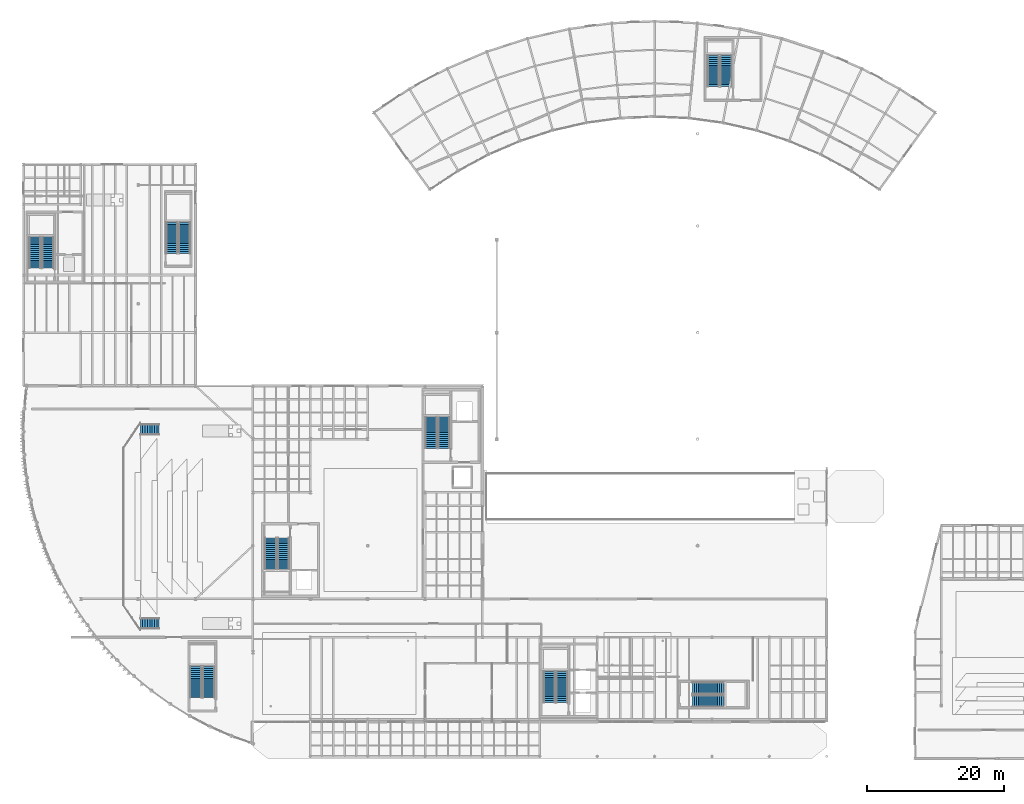
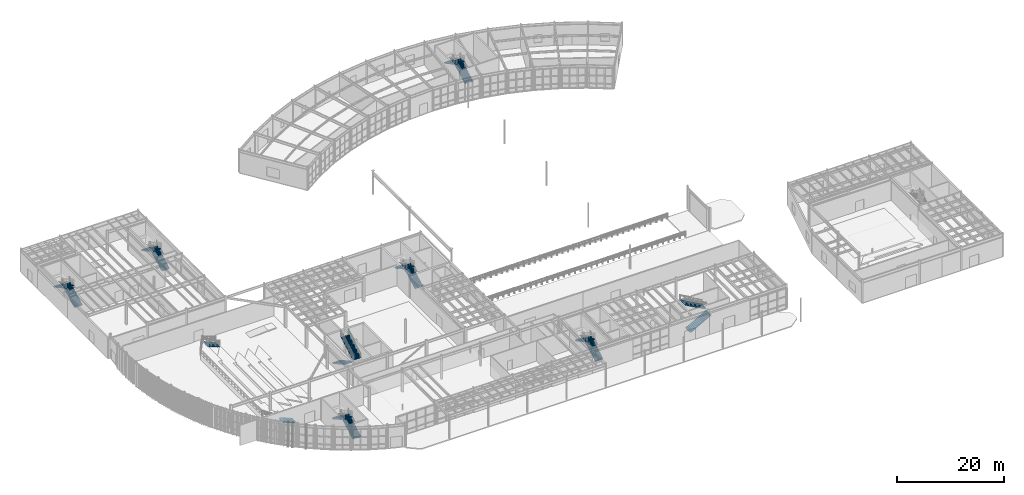
# One storey, part 71 of 87: 18 stair flights, 10 elements without a shape of their own.
"""IFC4 building model written with IfcOpenShell, lengths in metres."""

from ifc_helpers import new_model, si_unit, direction, frame, origin, place, context, subcontext, project, spatial, polyline, outline, extrude, material, type_object, element, aggregate, save


model = new_model("IFC4")

# Units and contexts
model_context = context("Model", 3, precision=1e-05, world=origin(), true_north=direction((0.0, 1.0)))
body_context = subcontext(model_context, "Body", "Model", "MODEL_VIEW")
ifc_project = project(units=[si_unit("LENGTHUNIT", "METRE"), si_unit("AREAUNIT", "SQUARE_METRE"), si_unit("VOLUMEUNIT", "CUBIC_METRE"), si_unit("PLANEANGLEUNIT", "RADIAN"), si_unit("MASSUNIT", "GRAM", prefix="KILO")], contexts=[model_context])

# Site, building, storey
site_placement = place(None, origin())
site = spatial("IfcSite", under=ifc_project, at=site_placement, CompositionType="ELEMENT")
building_placement = place(site_placement, origin())
building = spatial("IfcBuilding", under=site, at=building_placement, Name="Selat Folded Stagehouse", CompositionType="ELEMENT")
storey_placement = place(building_placement, origin())
storey = spatial("IfcBuildingStorey", under=building, at=storey_placement, Name="L00", CompositionType="ELEMENT", Elevation=0.0)

# Stair, stair flight
ifc_material = material(Name="Concrete C40/50", Category="concrete")
stair_type_1 = type_object("IfcStairType", Name="STR-AISLE-1540-9R", PredefinedType="STRAIGHT_RUN_STAIR", material=ifc_material)
stair_1_placement = place(storey_placement, origin())
stair_1 = element("IfcStair", 1, at=stair_1_placement, inside=storey, type_object=stair_type_1, Name="L00 auditorium stepped aisle stair STA-MT-L00-S", PredefinedType="STRAIGHT_RUN_STAIR")
stair_flight_type_1 = type_object("IfcStairFlightType", Name="STF-AISLE-1540-9R", PredefinedType="STRAIGHT", material=ifc_material)
stair_flight_1_placement = place(storey_placement, frame((19.8798828125, 19.800048828125, 0.0), z_axis=(0.0, 0.0, 1.0), x_axis=(-1.0, 0.0, 0.0)))
stair_flight_1 = element("IfcStairFlight", 2, at=stair_flight_1_placement, type_object=stair_flight_type_1, Name="STA-9R flight 1", NumberOfRisers=9, NumberOfTreads=8, PredefinedType="STRAIGHT", RiserHeight=0.135, TreadLength=0.345, context=body_context, shape_type="SweptSolid", body=[
    extrude(outline(polyline([(0.0, 0.0), (0.0, 0.135009765625), (0.344970703125, 0.135009765625), (0.344970703125, 0.27001953125), (0.68994140625, 0.27001953125), (0.68994140625, 0.405029296875), (1.034912109375, 0.405029296875), (1.034912109375, 0.5400390625), (1.3798828125, 0.5400390625), (1.3798828125, 0.675048828125), (1.72509765625, 0.675048828125), (1.72509765625, 0.81005859375), (2.070068359375, 0.81005859375), (2.070068359375, 0.945068359375), (2.4150390625, 0.945068359375), (2.4150390625, 1.080078125), (2.760009765625, 1.080078125), (2.760009765625, 1.215087890625), (2.760009765625, 0.9189453125), (0.411376953125, 0.0), (0.0, 0.0)])), frame((0.0, 0.77001953125, 0.0), z_axis=(0.0, -1.0, 0.0), x_axis=(1.0, 0.0, 0.0)), (0.0, 0.0, 1.0), 1.5400390625),
])
aggregate(stair_1, [stair_flight_1])

stair_2_placement = place(storey_placement, origin())
stair_2 = element("IfcStair", 3, at=stair_2_placement, inside=storey, type_object=stair_type_1, Name="L00 auditorium stepped aisle stair STA-MT-L00-N", PredefinedType="STRAIGHT_RUN_STAIR")
stair_flight_2_placement = place(storey_placement, frame((19.8798828125, 48.199951171875, 0.0), z_axis=(0.0, 0.0, 1.0), x_axis=(-1.0, 0.0, 0.0)))
stair_flight_2 = element("IfcStairFlight", 4, at=stair_flight_2_placement, type_object=stair_flight_type_1, Name="STA-9R flight 1", NumberOfRisers=9, NumberOfTreads=8, PredefinedType="STRAIGHT", RiserHeight=0.135, TreadLength=0.345, context=body_context, shape_type="SweptSolid", body=[
    extrude(outline(polyline([(0.0, 0.0), (0.0, 0.135009765625), (0.344970703125, 0.135009765625), (0.344970703125, 0.27001953125), (0.68994140625, 0.27001953125), (0.68994140625, 0.405029296875), (1.034912109375, 0.405029296875), (1.034912109375, 0.5400390625), (1.3798828125, 0.5400390625), (1.3798828125, 0.675048828125), (1.72509765625, 0.675048828125), (1.72509765625, 0.81005859375), (2.070068359375, 0.81005859375), (2.070068359375, 0.945068359375), (2.4150390625, 0.945068359375), (2.4150390625, 1.080078125), (2.760009765625, 1.080078125), (2.760009765625, 1.215087890625), (2.760009765625, 0.9189453125), (0.411376953125, 0.0), (0.0, 0.0)])), frame((0.0, 0.77001953125, 0.0), z_axis=(0.0, -1.0, 0.0), x_axis=(1.0, 0.0, 0.0)), (0.0, 0.0, 1.0), 1.5400390625),
])
aggregate(stair_2, [stair_flight_2])

# Stair, stair flights
stair_type_2 = type_object("IfcStairType", Name="STR-DOG-1680-34R", PredefinedType="HALF_TURN_STAIR", material=ifc_material)
stair_3_placement = place(storey_placement, origin())
stair_3 = element("IfcStair", 5, at=stair_3_placement, inside=storey, type_object=stair_type_2, Name="L00 Core 3 Foyer South Core", PredefinedType="HALF_TURN_STAIR")
stair_flight_type_2 = type_object("IfcStairFlightType", Name="STF-STR-1680-17R", PredefinedType="STRAIGHT", material=ifc_material)
stair_flight_3_placement = place(storey_placement, frame((78.840087890625, 8.22998046875, 0.0), z_axis=(0.0, 0.0, 1.0), x_axis=(0.0, 1.0, 0.0)))
stair_flight_3 = element("IfcStairFlight", 6, at=stair_flight_3_placement, type_object=stair_flight_type_2, Name="ST-1680-34R flight 1", NumberOfRisers=17, NumberOfTreads=16, PredefinedType="STRAIGHT", RiserHeight=0.158823529, TreadLength=0.285, context=body_context, shape_type="SweptSolid", body=[
    extrude(outline(polyline([(0.0, 0.0), (0.0, 0.158935546875), (0.284912109375, 0.158935546875), (0.284912109375, 0.317626953125), (0.570068359375, 0.317626953125), (0.570068359375, 0.4765625), (0.85498046875, 0.4765625), (0.85498046875, 0.63525390625), (1.139892578125, 0.63525390625), (1.139892578125, 0.794189453125), (1.425048828125, 0.794189453125), (1.425048828125, 0.952880859375), (1.7099609375, 0.952880859375), (1.7099609375, 1.11181640625), (1.9951171875, 1.11181640625), (1.9951171875, 1.2705078125), (2.280029296875, 1.2705078125), (2.280029296875, 1.429443359375), (2.56494140625, 1.429443359375), (2.56494140625, 1.588134765625), (2.85009765625, 1.588134765625), (2.85009765625, 1.7470703125), (3.135009765625, 1.7470703125), (3.135009765625, 1.90576171875), (3.419921875, 1.90576171875), (3.419921875, 2.064697265625), (3.705078125, 2.064697265625), (3.705078125, 2.2236328125), (3.989990234375, 2.2236328125), (3.989990234375, 2.38232421875), (4.27490234375, 2.38232421875), (4.27490234375, 2.541259765625), (4.56005859375, 2.541259765625), (4.56005859375, 2.699951171875), (4.56005859375, 2.358154296875), (0.32861328125, 0.0), (0.0, 0.0)])), frame((0.0, 0.83984375, 0.0), z_axis=(0.0, -1.0, 0.0), x_axis=(1.0, 0.0, 0.0)), (0.0, 0.0, 1.0), 1.679931640625),
])
stair_flight_4_placement = place(storey_placement, frame((77.0, 12.7900390625, 2.699951171875), z_axis=(0.0, 0.0, 1.0), x_axis=(0.0, -1.0, 0.0)))
stair_flight_4 = element("IfcStairFlight", 7, at=stair_flight_4_placement, type_object=stair_flight_type_2, Name="ST-1680-34R flight 2", NumberOfRisers=17, NumberOfTreads=16, PredefinedType="STRAIGHT", RiserHeight=0.158823529, TreadLength=0.285, context=body_context, shape_type="SweptSolid", body=[
    extrude(outline(polyline([(0.0, 0.0), (0.0, 0.158935546875), (0.284912109375, 0.158935546875), (0.284912109375, 0.317626953125), (0.570068359375, 0.317626953125), (0.570068359375, 0.4765625), (0.85498046875, 0.4765625), (0.85498046875, 0.63525390625), (1.139892578125, 0.63525390625), (1.139892578125, 0.794189453125), (1.425048828125, 0.794189453125), (1.425048828125, 0.952880859375), (1.7099609375, 0.952880859375), (1.7099609375, 1.11181640625), (1.9951171875, 1.11181640625), (1.9951171875, 1.2705078125), (2.280029296875, 1.2705078125), (2.280029296875, 1.429443359375), (2.56494140625, 1.429443359375), (2.56494140625, 1.588134765625), (2.85009765625, 1.588134765625), (2.85009765625, 1.7470703125), (3.135009765625, 1.7470703125), (3.135009765625, 1.90576171875), (3.419921875, 1.90576171875), (3.419921875, 2.064697265625), (3.705078125, 2.064697265625), (3.705078125, 2.2236328125), (3.989990234375, 2.2236328125), (3.989990234375, 2.38232421875), (4.27490234375, 2.38232421875), (4.27490234375, 2.541259765625), (4.56005859375, 2.541259765625), (4.56005859375, 2.699951171875), (4.56005859375, 2.358154296875), (0.32861328125, 0.0), (0.0, 0.0)])), frame((0.0, 0.83984375, 0.0), z_axis=(0.0, -1.0, 0.0), x_axis=(1.0, 0.0, 0.0)), (0.0, 0.0, 1.0), 1.679931640625),
])
aggregate(stair_3, [stair_flight_3, stair_flight_4])

stair_4_placement = place(storey_placement, origin())
stair_4 = element("IfcStair", 8, at=stair_4_placement, inside=storey, type_object=stair_type_2, Name="L00 Backstage Technical Stair ST-07", PredefinedType="HALF_TURN_STAIR")
stair_flight_5_placement = place(storey_placement, frame((23.580078125, 73.97998046875, 0.0), z_axis=(0.0, 0.0, 1.0), x_axis=(0.0, 1.0, 0.0)))
stair_flight_5 = element("IfcStairFlight", 9, at=stair_flight_5_placement, type_object=stair_flight_type_2, Name="ST-1680-34R flight 1", NumberOfRisers=17, NumberOfTreads=16, PredefinedType="STRAIGHT", RiserHeight=0.158823529, TreadLength=0.285, context=body_context, shape_type="SweptSolid", body=[
    extrude(outline(polyline([(0.0, 0.0), (0.0, 0.158935546875), (0.284912109375, 0.158935546875), (0.284912109375, 0.317626953125), (0.570068359375, 0.317626953125), (0.570068359375, 0.4765625), (0.85498046875, 0.4765625), (0.85498046875, 0.63525390625), (1.139892578125, 0.63525390625), (1.139892578125, 0.794189453125), (1.425048828125, 0.794189453125), (1.425048828125, 0.952880859375), (1.7099609375, 0.952880859375), (1.7099609375, 1.11181640625), (1.9951171875, 1.11181640625), (1.9951171875, 1.2705078125), (2.280029296875, 1.2705078125), (2.280029296875, 1.429443359375), (2.56494140625, 1.429443359375), (2.56494140625, 1.588134765625), (2.85009765625, 1.588134765625), (2.85009765625, 1.7470703125), (3.135009765625, 1.7470703125), (3.135009765625, 1.90576171875), (3.419921875, 1.90576171875), (3.419921875, 2.064697265625), (3.705078125, 2.064697265625), (3.705078125, 2.2236328125), (3.989990234375, 2.2236328125), (3.989990234375, 2.38232421875), (4.27490234375, 2.38232421875), (4.27490234375, 2.541259765625), (4.56005859375, 2.541259765625), (4.56005859375, 2.699951171875), (4.56005859375, 2.358154296875), (0.32861328125, 0.0), (0.0, 0.0)])), frame((0.0, 0.83984375, 0.0), z_axis=(0.0, -1.0, 0.0), x_axis=(1.0, 0.0, 0.0)), (0.0, 0.0, 1.0), 1.679931640625),
])
stair_flight_6_placement = place(storey_placement, frame((21.739990234375, 78.5400390625, 2.699951171875), z_axis=(0.0, 0.0, 1.0), x_axis=(0.0, -1.0, 0.0)))
stair_flight_6 = element("IfcStairFlight", 10, at=stair_flight_6_placement, type_object=stair_flight_type_2, Name="ST-1680-34R flight 2", NumberOfRisers=17, NumberOfTreads=16, PredefinedType="STRAIGHT", RiserHeight=0.158823529, TreadLength=0.285, context=body_context, shape_type="SweptSolid", body=[
    extrude(outline(polyline([(0.0, 0.0), (0.0, 0.158935546875), (0.284912109375, 0.158935546875), (0.284912109375, 0.317626953125), (0.570068359375, 0.317626953125), (0.570068359375, 0.4765625), (0.85498046875, 0.4765625), (0.85498046875, 0.63525390625), (1.139892578125, 0.63525390625), (1.139892578125, 0.794189453125), (1.425048828125, 0.794189453125), (1.425048828125, 0.952880859375), (1.7099609375, 0.952880859375), (1.7099609375, 1.11181640625), (1.9951171875, 1.11181640625), (1.9951171875, 1.2705078125), (2.280029296875, 1.2705078125), (2.280029296875, 1.429443359375), (2.56494140625, 1.429443359375), (2.56494140625, 1.588134765625), (2.85009765625, 1.588134765625), (2.85009765625, 1.7470703125), (3.135009765625, 1.7470703125), (3.135009765625, 1.90576171875), (3.419921875, 1.90576171875), (3.419921875, 2.064697265625), (3.705078125, 2.064697265625), (3.705078125, 2.2236328125), (3.989990234375, 2.2236328125), (3.989990234375, 2.38232421875), (4.27490234375, 2.38232421875), (4.27490234375, 2.541259765625), (4.56005859375, 2.541259765625), (4.56005859375, 2.699951171875), (4.56005859375, 2.358154296875), (0.32861328125, 0.0), (0.0, 0.0)])), frame((0.0, 0.83984375, 0.0), z_axis=(0.0, -1.0, 0.0), x_axis=(1.0, 0.0, 0.0)), (0.0, 0.0, 1.0), 1.679931640625),
])
aggregate(stair_4, [stair_flight_5, stair_flight_6])

stair_type_3 = type_object("IfcStairType", Name="STR-DOG-1700-34R", PredefinedType="HALF_TURN_STAIR", material=ifc_material)
stair_5_placement = place(storey_placement, origin())
stair_5 = element("IfcStair", 11, at=stair_5_placement, inside=storey, type_object=stair_type_3, Name="L00 Core 1 South-West Fire Core", PredefinedType="HALF_TURN_STAIR")
stair_flight_type_3 = type_object("IfcStairFlightType", Name="STF-STR-1700-17R", PredefinedType="STRAIGHT", material=ifc_material)
stair_flight_7_placement = place(storey_placement, frame((36.2099609375, 32.340087890625, 0.0), z_axis=(0.0, 0.0, 1.0), x_axis=(0.0, -1.0, 0.0)))
stair_flight_7 = element("IfcStairFlight", 12, at=stair_flight_7_placement, type_object=stair_flight_type_3, Name="ST-1700-34R flight 1", NumberOfRisers=17, NumberOfTreads=16, PredefinedType="STRAIGHT", RiserHeight=0.158823529, TreadLength=0.285, context=body_context, shape_type="SweptSolid", body=[
    extrude(outline(polyline([(0.0, 0.0), (0.0, 0.158935546875), (0.284912109375, 0.158935546875), (0.284912109375, 0.317626953125), (0.570068359375, 0.317626953125), (0.570068359375, 0.4765625), (0.85498046875, 0.4765625), (0.85498046875, 0.63525390625), (1.139892578125, 0.63525390625), (1.139892578125, 0.794189453125), (1.425048828125, 0.794189453125), (1.425048828125, 0.952880859375), (1.7099609375, 0.952880859375), (1.7099609375, 1.11181640625), (1.9951171875, 1.11181640625), (1.9951171875, 1.2705078125), (2.280029296875, 1.2705078125), (2.280029296875, 1.429443359375), (2.56494140625, 1.429443359375), (2.56494140625, 1.588134765625), (2.85009765625, 1.588134765625), (2.85009765625, 1.7470703125), (3.135009765625, 1.7470703125), (3.135009765625, 1.90576171875), (3.419921875, 1.90576171875), (3.419921875, 2.064697265625), (3.705078125, 2.064697265625), (3.705078125, 2.2236328125), (3.989990234375, 2.2236328125), (3.989990234375, 2.38232421875), (4.27490234375, 2.38232421875), (4.27490234375, 2.541259765625), (4.56005859375, 2.541259765625), (4.56005859375, 2.699951171875), (4.56005859375, 2.358154296875), (0.32861328125, 0.0), (0.0, 0.0)])), frame((0.0, 0.85009765625, 0.0), z_axis=(0.0, -1.0, 0.0), x_axis=(1.0, 0.0, 0.0)), (0.0, 0.0, 1.0), 1.699951171875),
])
stair_flight_8_placement = place(storey_placement, frame((38.070068359375, 27.780029296875, 2.699951171875), z_axis=(0.0, 0.0, 1.0), x_axis=(0.0, 1.0, 0.0)))
stair_flight_8 = element("IfcStairFlight", 13, at=stair_flight_8_placement, type_object=stair_flight_type_3, Name="ST-1700-34R flight 2", NumberOfRisers=17, NumberOfTreads=16, PredefinedType="STRAIGHT", RiserHeight=0.158823529, TreadLength=0.285, context=body_context, shape_type="SweptSolid", body=[
    extrude(outline(polyline([(0.0, 0.0), (0.0, 0.158935546875), (0.284912109375, 0.158935546875), (0.284912109375, 0.317626953125), (0.570068359375, 0.317626953125), (0.570068359375, 0.4765625), (0.85498046875, 0.4765625), (0.85498046875, 0.63525390625), (1.139892578125, 0.63525390625), (1.139892578125, 0.794189453125), (1.425048828125, 0.794189453125), (1.425048828125, 0.952880859375), (1.7099609375, 0.952880859375), (1.7099609375, 1.11181640625), (1.9951171875, 1.11181640625), (1.9951171875, 1.2705078125), (2.280029296875, 1.2705078125), (2.280029296875, 1.429443359375), (2.56494140625, 1.429443359375), (2.56494140625, 1.588134765625), (2.85009765625, 1.588134765625), (2.85009765625, 1.7470703125), (3.135009765625, 1.7470703125), (3.135009765625, 1.90576171875), (3.419921875, 1.90576171875), (3.419921875, 2.064697265625), (3.705078125, 2.064697265625), (3.705078125, 2.2236328125), (3.989990234375, 2.2236328125), (3.989990234375, 2.38232421875), (4.27490234375, 2.38232421875), (4.27490234375, 2.541259765625), (4.56005859375, 2.541259765625), (4.56005859375, 2.699951171875), (4.56005859375, 2.358154296875), (0.32861328125, 0.0), (0.0, 0.0)])), frame((0.0, 0.85009765625, 0.0), z_axis=(0.0, -1.0, 0.0), x_axis=(1.0, 0.0, 0.0)), (0.0, 0.0, 1.0), 1.699951171875),
])
aggregate(stair_5, [stair_flight_7, stair_flight_8])

stair_6_placement = place(storey_placement, origin())
stair_6 = element("IfcStair", 14, at=stair_6_placement, inside=storey, type_object=stair_type_3, Name="L00 Core 2 North-East Stage Fire Core", PredefinedType="HALF_TURN_STAIR")
stair_flight_9_placement = place(storey_placement, frame((61.570068359375, 45.4599609375, 0.0), z_axis=(0.0, 0.0, 1.0), x_axis=(0.0, 1.0, 0.0)))
stair_flight_9 = element("IfcStairFlight", 15, at=stair_flight_9_placement, type_object=stair_flight_type_3, Name="ST-1700-34R flight 1", NumberOfRisers=17, NumberOfTreads=16, PredefinedType="STRAIGHT", RiserHeight=0.158823529, TreadLength=0.285, context=body_context, shape_type="SweptSolid", body=[
    extrude(outline(polyline([(0.0, 0.0), (0.0, 0.158935546875), (0.284912109375, 0.158935546875), (0.284912109375, 0.317626953125), (0.570068359375, 0.317626953125), (0.570068359375, 0.4765625), (0.85498046875, 0.4765625), (0.85498046875, 0.63525390625), (1.139892578125, 0.63525390625), (1.139892578125, 0.794189453125), (1.425048828125, 0.794189453125), (1.425048828125, 0.952880859375), (1.7099609375, 0.952880859375), (1.7099609375, 1.11181640625), (1.9951171875, 1.11181640625), (1.9951171875, 1.2705078125), (2.280029296875, 1.2705078125), (2.280029296875, 1.429443359375), (2.56494140625, 1.429443359375), (2.56494140625, 1.588134765625), (2.85009765625, 1.588134765625), (2.85009765625, 1.7470703125), (3.135009765625, 1.7470703125), (3.135009765625, 1.90576171875), (3.419921875, 1.90576171875), (3.419921875, 2.064697265625), (3.705078125, 2.064697265625), (3.705078125, 2.2236328125), (3.989990234375, 2.2236328125), (3.989990234375, 2.38232421875), (4.27490234375, 2.38232421875), (4.27490234375, 2.541259765625), (4.56005859375, 2.541259765625), (4.56005859375, 2.699951171875), (4.56005859375, 2.358154296875), (0.32861328125, 0.0), (0.0, 0.0)])), frame((0.0, 0.85009765625, 0.0), z_axis=(0.0, -1.0, 0.0), x_axis=(1.0, 0.0, 0.0)), (0.0, 0.0, 1.0), 1.699951171875),
])
stair_flight_10_placement = place(storey_placement, frame((59.7099609375, 50.02001953125, 2.699951171875), z_axis=(0.0, 0.0, 1.0), x_axis=(0.0, -1.0, 0.0)))
stair_flight_10 = element("IfcStairFlight", 16, at=stair_flight_10_placement, type_object=stair_flight_type_3, Name="ST-1700-34R flight 2", NumberOfRisers=17, NumberOfTreads=16, PredefinedType="STRAIGHT", RiserHeight=0.158823529, TreadLength=0.285, context=body_context, shape_type="SweptSolid", body=[
    extrude(outline(polyline([(0.0, 0.0), (0.0, 0.158935546875), (0.284912109375, 0.158935546875), (0.284912109375, 0.317626953125), (0.570068359375, 0.317626953125), (0.570068359375, 0.4765625), (0.85498046875, 0.4765625), (0.85498046875, 0.63525390625), (1.139892578125, 0.63525390625), (1.139892578125, 0.794189453125), (1.425048828125, 0.794189453125), (1.425048828125, 0.952880859375), (1.7099609375, 0.952880859375), (1.7099609375, 1.11181640625), (1.9951171875, 1.11181640625), (1.9951171875, 1.2705078125), (2.280029296875, 1.2705078125), (2.280029296875, 1.429443359375), (2.56494140625, 1.429443359375), (2.56494140625, 1.588134765625), (2.85009765625, 1.588134765625), (2.85009765625, 1.7470703125), (3.135009765625, 1.7470703125), (3.135009765625, 1.90576171875), (3.419921875, 1.90576171875), (3.419921875, 2.064697265625), (3.705078125, 2.064697265625), (3.705078125, 2.2236328125), (3.989990234375, 2.2236328125), (3.989990234375, 2.38232421875), (4.27490234375, 2.38232421875), (4.27490234375, 2.541259765625), (4.56005859375, 2.541259765625), (4.56005859375, 2.699951171875), (4.56005859375, 2.358154296875), (0.32861328125, 0.0), (0.0, 0.0)])), frame((0.0, 0.85009765625, 0.0), z_axis=(0.0, -1.0, 0.0), x_axis=(1.0, 0.0, 0.0)), (0.0, 0.0, 1.0), 1.699951171875),
])
aggregate(stair_6, [stair_flight_9, stair_flight_10])

stair_type_4 = type_object("IfcStairType", Name="STR-DOG-1720-34R", PredefinedType="HALF_TURN_STAIR", material=ifc_material)
stair_7_placement = place(storey_placement, origin())
stair_7 = element("IfcStair", 17, at=stair_7_placement, inside=storey, type_object=stair_type_4, Name="L00 Core 5 Black-Box West Core", PredefinedType="HALF_TURN_STAIR")
stair_flight_type_4 = type_object("IfcStairFlightType", Name="STF-STR-1720-17R", PredefinedType="STRAIGHT", material=ifc_material)
stair_flight_11_placement = place(storey_placement, frame((3.590087890625, 71.840087890625, 0.0), z_axis=(0.0, 0.0, 1.0), x_axis=(0.0, 1.0, 0.0)))
stair_flight_11 = element("IfcStairFlight", 18, at=stair_flight_11_placement, type_object=stair_flight_type_4, Name="ST-1720-34R flight 1", NumberOfRisers=17, NumberOfTreads=16, PredefinedType="STRAIGHT", RiserHeight=0.158823529, TreadLength=0.285, context=body_context, shape_type="SweptSolid", body=[
    extrude(outline(polyline([(0.0, 0.0), (0.0, 0.158935546875), (0.284912109375, 0.158935546875), (0.284912109375, 0.317626953125), (0.570068359375, 0.317626953125), (0.570068359375, 0.4765625), (0.85498046875, 0.4765625), (0.85498046875, 0.63525390625), (1.139892578125, 0.63525390625), (1.139892578125, 0.794189453125), (1.425048828125, 0.794189453125), (1.425048828125, 0.952880859375), (1.7099609375, 0.952880859375), (1.7099609375, 1.11181640625), (1.9951171875, 1.11181640625), (1.9951171875, 1.2705078125), (2.280029296875, 1.2705078125), (2.280029296875, 1.429443359375), (2.56494140625, 1.429443359375), (2.56494140625, 1.588134765625), (2.85009765625, 1.588134765625), (2.85009765625, 1.7470703125), (3.135009765625, 1.7470703125), (3.135009765625, 1.90576171875), (3.419921875, 1.90576171875), (3.419921875, 2.064697265625), (3.705078125, 2.064697265625), (3.705078125, 2.2236328125), (3.989990234375, 2.2236328125), (3.989990234375, 2.38232421875), (4.27490234375, 2.38232421875), (4.27490234375, 2.541259765625), (4.56005859375, 2.541259765625), (4.56005859375, 2.699951171875), (4.56005859375, 2.358154296875), (0.32861328125, 0.0), (0.0, 0.0)])), frame((0.0, 0.85986328125, 0.0), z_axis=(0.0, -1.0, 0.0), x_axis=(1.0, 0.0, 0.0)), (0.0, 0.0, 1.0), 1.719970703125),
])
stair_flight_12_placement = place(storey_placement, frame((1.7099609375, 76.39990234375, 2.699951171875), z_axis=(0.0, 0.0, 1.0), x_axis=(0.0, -1.0, 0.0)))
stair_flight_12 = element("IfcStairFlight", 19, at=stair_flight_12_placement, type_object=stair_flight_type_4, Name="ST-1720-34R flight 2", NumberOfRisers=17, NumberOfTreads=16, PredefinedType="STRAIGHT", RiserHeight=0.158823529, TreadLength=0.285, context=body_context, shape_type="SweptSolid", body=[
    extrude(outline(polyline([(0.0, 0.0), (0.0, 0.158935546875), (0.284912109375, 0.158935546875), (0.284912109375, 0.317626953125), (0.570068359375, 0.317626953125), (0.570068359375, 0.4765625), (0.85498046875, 0.4765625), (0.85498046875, 0.63525390625), (1.139892578125, 0.63525390625), (1.139892578125, 0.794189453125), (1.425048828125, 0.794189453125), (1.425048828125, 0.952880859375), (1.7099609375, 0.952880859375), (1.7099609375, 1.11181640625), (1.9951171875, 1.11181640625), (1.9951171875, 1.2705078125), (2.280029296875, 1.2705078125), (2.280029296875, 1.429443359375), (2.56494140625, 1.429443359375), (2.56494140625, 1.588134765625), (2.85009765625, 1.588134765625), (2.85009765625, 1.7470703125), (3.135009765625, 1.7470703125), (3.135009765625, 1.90576171875), (3.419921875, 1.90576171875), (3.419921875, 2.064697265625), (3.705078125, 2.064697265625), (3.705078125, 2.2236328125), (3.989990234375, 2.2236328125), (3.989990234375, 2.38232421875), (4.27490234375, 2.38232421875), (4.27490234375, 2.541259765625), (4.56005859375, 2.541259765625), (4.56005859375, 2.699951171875), (4.56005859375, 2.358154296875), (0.32861328125, 0.0), (0.0, 0.0)])), frame((0.0, 0.85986328125, 0.0), z_axis=(0.0, -1.0, 0.0), x_axis=(1.0, 0.0, 0.0)), (0.0, 0.0, 1.0), 1.719970703125),
])
aggregate(stair_7, [stair_flight_11, stair_flight_12])

stair_8_placement = place(storey_placement, origin())
stair_8 = element("IfcStair", 20, at=stair_8_placement, inside=storey, type_object=stair_type_4, Name="L00 Core 6 Rehearsal East Core", PredefinedType="HALF_TURN_STAIR")
stair_flight_13_placement = place(storey_placement, frame((102.889892578125, 98.39990234375, 0.0), z_axis=(0.0, 0.0, 1.0), x_axis=(0.0, 1.0, 0.0)))
stair_flight_13 = element("IfcStairFlight", 21, at=stair_flight_13_placement, type_object=stair_flight_type_4, Name="ST-1720-34R flight 1", NumberOfRisers=17, NumberOfTreads=16, PredefinedType="STRAIGHT", RiserHeight=0.158823529, TreadLength=0.285, context=body_context, shape_type="SweptSolid", body=[
    extrude(outline(polyline([(0.0, 0.0), (0.0, 0.158935546875), (0.284912109375, 0.158935546875), (0.284912109375, 0.317626953125), (0.570068359375, 0.317626953125), (0.570068359375, 0.4765625), (0.85498046875, 0.4765625), (0.85498046875, 0.63525390625), (1.139892578125, 0.63525390625), (1.139892578125, 0.794189453125), (1.425048828125, 0.794189453125), (1.425048828125, 0.952880859375), (1.7099609375, 0.952880859375), (1.7099609375, 1.11181640625), (1.9951171875, 1.11181640625), (1.9951171875, 1.2705078125), (2.280029296875, 1.2705078125), (2.280029296875, 1.429443359375), (2.56494140625, 1.429443359375), (2.56494140625, 1.588134765625), (2.85009765625, 1.588134765625), (2.85009765625, 1.7470703125), (3.135009765625, 1.7470703125), (3.135009765625, 1.90576171875), (3.419921875, 1.90576171875), (3.419921875, 2.064697265625), (3.705078125, 2.064697265625), (3.705078125, 2.2236328125), (3.989990234375, 2.2236328125), (3.989990234375, 2.38232421875), (4.27490234375, 2.38232421875), (4.27490234375, 2.541259765625), (4.56005859375, 2.541259765625), (4.56005859375, 2.699951171875), (4.56005859375, 2.358154296875), (0.32861328125, 0.0), (0.0, 0.0)])), frame((0.0, 0.85986328125, 0.0), z_axis=(0.0, -1.0, 0.0), x_axis=(1.0, 0.0, 0.0)), (0.0, 0.0, 1.0), 1.719970703125),
])
stair_flight_14_placement = place(storey_placement, frame((101.010009765625, 102.9599609375, 2.699951171875), z_axis=(0.0, 0.0, 1.0), x_axis=(0.0, -1.0, 0.0)))
stair_flight_14 = element("IfcStairFlight", 22, at=stair_flight_14_placement, type_object=stair_flight_type_4, Name="ST-1720-34R flight 2", NumberOfRisers=17, NumberOfTreads=16, PredefinedType="STRAIGHT", RiserHeight=0.158823529, TreadLength=0.285, context=body_context, shape_type="SweptSolid", body=[
    extrude(outline(polyline([(0.0, 0.0), (0.0, 0.158935546875), (0.284912109375, 0.158935546875), (0.284912109375, 0.317626953125), (0.570068359375, 0.317626953125), (0.570068359375, 0.4765625), (0.85498046875, 0.4765625), (0.85498046875, 0.63525390625), (1.139892578125, 0.63525390625), (1.139892578125, 0.794189453125), (1.425048828125, 0.794189453125), (1.425048828125, 0.952880859375), (1.7099609375, 0.952880859375), (1.7099609375, 1.11181640625), (1.9951171875, 1.11181640625), (1.9951171875, 1.2705078125), (2.280029296875, 1.2705078125), (2.280029296875, 1.429443359375), (2.56494140625, 1.429443359375), (2.56494140625, 1.588134765625), (2.85009765625, 1.588134765625), (2.85009765625, 1.7470703125), (3.135009765625, 1.7470703125), (3.135009765625, 1.90576171875), (3.419921875, 1.90576171875), (3.419921875, 2.064697265625), (3.705078125, 2.064697265625), (3.705078125, 2.2236328125), (3.989990234375, 2.2236328125), (3.989990234375, 2.38232421875), (4.27490234375, 2.38232421875), (4.27490234375, 2.541259765625), (4.56005859375, 2.541259765625), (4.56005859375, 2.699951171875), (4.56005859375, 2.358154296875), (0.32861328125, 0.0), (0.0, 0.0)])), frame((0.0, 0.85986328125, 0.0), z_axis=(0.0, -1.0, 0.0), x_axis=(1.0, 0.0, 0.0)), (0.0, 0.0, 1.0), 1.719970703125),
])
aggregate(stair_8, [stair_flight_13, stair_flight_14])

stair_type_5 = type_object("IfcStairType", Name="STR-DOG-1760-34R", PredefinedType="HALF_TURN_STAIR", material=ifc_material)
stair_9_placement = place(storey_placement, origin())
stair_9 = element("IfcStair", 23, at=stair_9_placement, inside=storey, type_object=stair_type_5, Name="L00 Grand Foyer Enclosed Stair ST-08", PredefinedType="HALF_TURN_STAIR")
stair_flight_type_5 = type_object("IfcStairFlightType", Name="STF-STR-1760-17R", PredefinedType="STRAIGHT", material=ifc_material)
stair_flight_15_placement = place(storey_placement, frame((97.93994140625, 8.43994140625, 0.0), z_axis=(0.0, 0.0, 1.0), x_axis=(1.0, 0.0, 0.0)))
stair_flight_15 = element("IfcStairFlight", 24, at=stair_flight_15_placement, type_object=stair_flight_type_5, Name="ST-1760-34R flight 1", NumberOfRisers=17, NumberOfTreads=16, PredefinedType="STRAIGHT", RiserHeight=0.158823529, TreadLength=0.285, context=body_context, shape_type="SweptSolid", body=[
    extrude(outline(polyline([(0.0, 0.0), (0.0, 0.158935546875), (0.284912109375, 0.158935546875), (0.284912109375, 0.317626953125), (0.570068359375, 0.317626953125), (0.570068359375, 0.4765625), (0.85498046875, 0.4765625), (0.85498046875, 0.63525390625), (1.139892578125, 0.63525390625), (1.139892578125, 0.794189453125), (1.425048828125, 0.794189453125), (1.425048828125, 0.952880859375), (1.7099609375, 0.952880859375), (1.7099609375, 1.11181640625), (1.9951171875, 1.11181640625), (1.9951171875, 1.2705078125), (2.280029296875, 1.2705078125), (2.280029296875, 1.429443359375), (2.56494140625, 1.429443359375), (2.56494140625, 1.588134765625), (2.85009765625, 1.588134765625), (2.85009765625, 1.7470703125), (3.135009765625, 1.7470703125), (3.135009765625, 1.90576171875), (3.419921875, 1.90576171875), (3.419921875, 2.064697265625), (3.705078125, 2.064697265625), (3.705078125, 2.2236328125), (3.989990234375, 2.2236328125), (3.989990234375, 2.38232421875), (4.27490234375, 2.38232421875), (4.27490234375, 2.541259765625), (4.56005859375, 2.541259765625), (4.56005859375, 2.699951171875), (4.56005859375, 2.358154296875), (0.32861328125, 0.0), (0.0, 0.0)])), frame((0.0, 0.8798828125, 0.0), z_axis=(0.0, -1.0, 0.0), x_axis=(1.0, 0.0, 0.0)), (0.0, 0.0, 1.0), 1.760009765625),
])
stair_flight_16_placement = place(storey_placement, frame((102.5, 10.360107421875, 2.699951171875), z_axis=(0.0, 0.0, 1.0), x_axis=(-1.0, 0.0, 0.0)))
stair_flight_16 = element("IfcStairFlight", 25, at=stair_flight_16_placement, type_object=stair_flight_type_5, Name="ST-1760-34R flight 2", NumberOfRisers=17, NumberOfTreads=16, PredefinedType="STRAIGHT", RiserHeight=0.158823529, TreadLength=0.285, context=body_context, shape_type="SweptSolid", body=[
    extrude(outline(polyline([(0.0, 0.0), (0.0, 0.158935546875), (0.284912109375, 0.158935546875), (0.284912109375, 0.317626953125), (0.570068359375, 0.317626953125), (0.570068359375, 0.4765625), (0.85498046875, 0.4765625), (0.85498046875, 0.63525390625), (1.139892578125, 0.63525390625), (1.139892578125, 0.794189453125), (1.425048828125, 0.794189453125), (1.425048828125, 0.952880859375), (1.7099609375, 0.952880859375), (1.7099609375, 1.11181640625), (1.9951171875, 1.11181640625), (1.9951171875, 1.2705078125), (2.280029296875, 1.2705078125), (2.280029296875, 1.429443359375), (2.56494140625, 1.429443359375), (2.56494140625, 1.588134765625), (2.85009765625, 1.588134765625), (2.85009765625, 1.7470703125), (3.135009765625, 1.7470703125), (3.135009765625, 1.90576171875), (3.419921875, 1.90576171875), (3.419921875, 2.064697265625), (3.705078125, 2.064697265625), (3.705078125, 2.2236328125), (3.989990234375, 2.2236328125), (3.989990234375, 2.38232421875), (4.27490234375, 2.38232421875), (4.27490234375, 2.541259765625), (4.56005859375, 2.541259765625), (4.56005859375, 2.699951171875), (4.56005859375, 2.358154296875), (0.32861328125, 0.0), (0.0, 0.0)])), frame((0.0, 0.8798828125, 0.0), z_axis=(0.0, -1.0, 0.0), x_axis=(1.0, 0.0, 0.0)), (0.0, 0.0, 1.0), 1.760009765625),
])
aggregate(stair_9, [stair_flight_15, stair_flight_16])

stair_10_placement = place(storey_placement, origin())
stair_10 = element("IfcStair", 26, at=stair_10_placement, inside=storey, type_object=stair_type_5, Name="L00 Main Drum Circle Stair ST-09", PredefinedType="HALF_TURN_STAIR")
stair_flight_17_placement = place(storey_placement, frame((27.159912109375, 8.93994140625, 0.0), z_axis=(0.0, 0.0, 1.0), x_axis=(0.0, 1.0, 0.0)))
stair_flight_17 = element("IfcStairFlight", 27, at=stair_flight_17_placement, type_object=stair_flight_type_5, Name="ST-1760-34R flight 1", NumberOfRisers=17, NumberOfTreads=16, PredefinedType="STRAIGHT", RiserHeight=0.158823529, TreadLength=0.285, context=body_context, shape_type="SweptSolid", body=[
    extrude(outline(polyline([(0.0, 0.0), (0.0, 0.158935546875), (0.284912109375, 0.158935546875), (0.284912109375, 0.317626953125), (0.570068359375, 0.317626953125), (0.570068359375, 0.4765625), (0.85498046875, 0.4765625), (0.85498046875, 0.63525390625), (1.139892578125, 0.63525390625), (1.139892578125, 0.794189453125), (1.425048828125, 0.794189453125), (1.425048828125, 0.952880859375), (1.7099609375, 0.952880859375), (1.7099609375, 1.11181640625), (1.9951171875, 1.11181640625), (1.9951171875, 1.2705078125), (2.280029296875, 1.2705078125), (2.280029296875, 1.429443359375), (2.56494140625, 1.429443359375), (2.56494140625, 1.588134765625), (2.85009765625, 1.588134765625), (2.85009765625, 1.7470703125), (3.135009765625, 1.7470703125), (3.135009765625, 1.90576171875), (3.419921875, 1.90576171875), (3.419921875, 2.064697265625), (3.705078125, 2.064697265625), (3.705078125, 2.2236328125), (3.989990234375, 2.2236328125), (3.989990234375, 2.38232421875), (4.27490234375, 2.38232421875), (4.27490234375, 2.541259765625), (4.56005859375, 2.541259765625), (4.56005859375, 2.699951171875), (4.56005859375, 2.358154296875), (0.32861328125, 0.0), (0.0, 0.0)])), frame((0.0, 0.8798828125, 0.0), z_axis=(0.0, -1.0, 0.0), x_axis=(1.0, 0.0, 0.0)), (0.0, 0.0, 1.0), 1.760009765625),
])
stair_flight_18_placement = place(storey_placement, frame((25.239990234375, 13.5, 2.699951171875), z_axis=(0.0, 0.0, 1.0), x_axis=(0.0, -1.0, 0.0)))
stair_flight_18 = element("IfcStairFlight", 28, at=stair_flight_18_placement, type_object=stair_flight_type_5, Name="ST-1760-34R flight 2", NumberOfRisers=17, NumberOfTreads=16, PredefinedType="STRAIGHT", RiserHeight=0.158823529, TreadLength=0.285, context=body_context, shape_type="SweptSolid", body=[
    extrude(outline(polyline([(0.0, 0.0), (0.0, 0.158935546875), (0.284912109375, 0.158935546875), (0.284912109375, 0.317626953125), (0.570068359375, 0.317626953125), (0.570068359375, 0.4765625), (0.85498046875, 0.4765625), (0.85498046875, 0.63525390625), (1.139892578125, 0.63525390625), (1.139892578125, 0.794189453125), (1.425048828125, 0.794189453125), (1.425048828125, 0.952880859375), (1.7099609375, 0.952880859375), (1.7099609375, 1.11181640625), (1.9951171875, 1.11181640625), (1.9951171875, 1.2705078125), (2.280029296875, 1.2705078125), (2.280029296875, 1.429443359375), (2.56494140625, 1.429443359375), (2.56494140625, 1.588134765625), (2.85009765625, 1.588134765625), (2.85009765625, 1.7470703125), (3.135009765625, 1.7470703125), (3.135009765625, 1.90576171875), (3.419921875, 1.90576171875), (3.419921875, 2.064697265625), (3.705078125, 2.064697265625), (3.705078125, 2.2236328125), (3.989990234375, 2.2236328125), (3.989990234375, 2.38232421875), (4.27490234375, 2.38232421875), (4.27490234375, 2.541259765625), (4.56005859375, 2.541259765625), (4.56005859375, 2.699951171875), (4.56005859375, 2.358154296875), (0.32861328125, 0.0), (0.0, 0.0)])), frame((0.0, 0.8798828125, 0.0), z_axis=(0.0, -1.0, 0.0), x_axis=(1.0, 0.0, 0.0)), (0.0, 0.0, 1.0), 1.760009765625),
])
aggregate(stair_10, [stair_flight_17, stair_flight_18])

save(model, "model.ifc")
